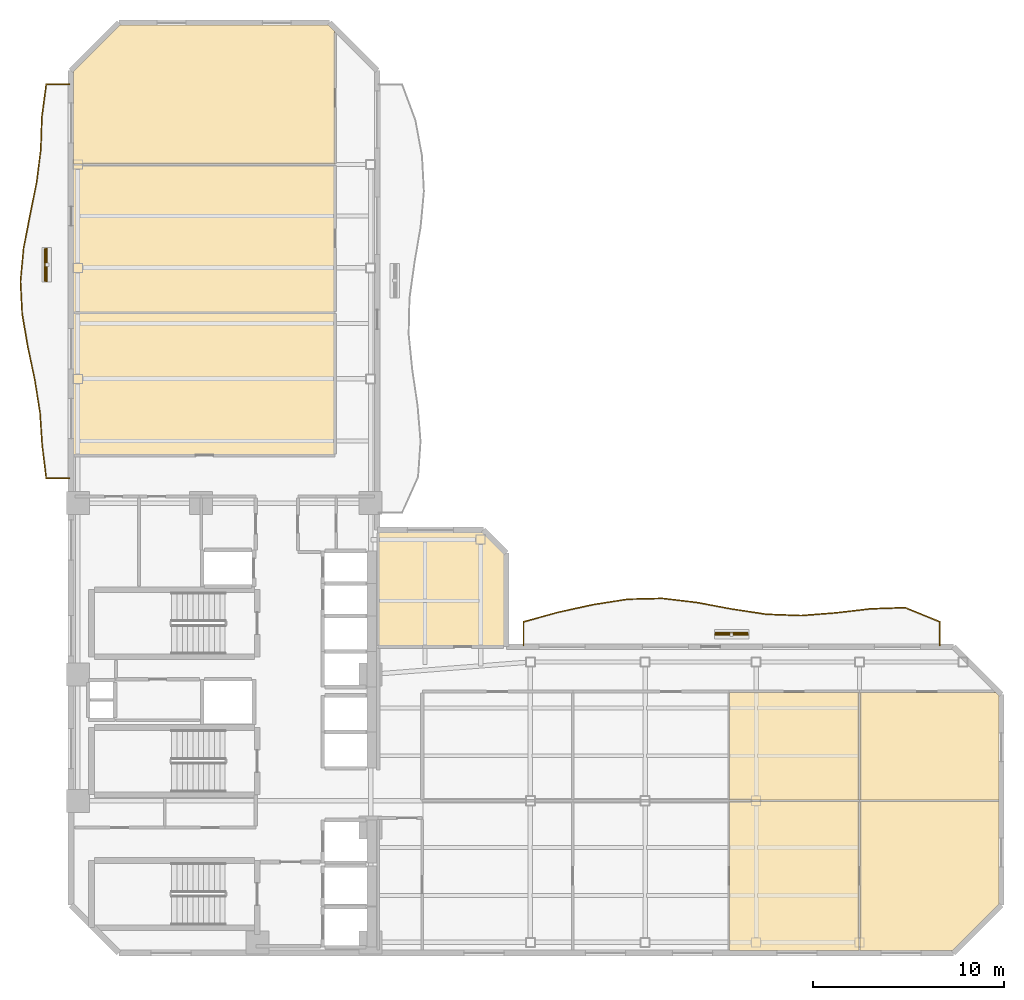
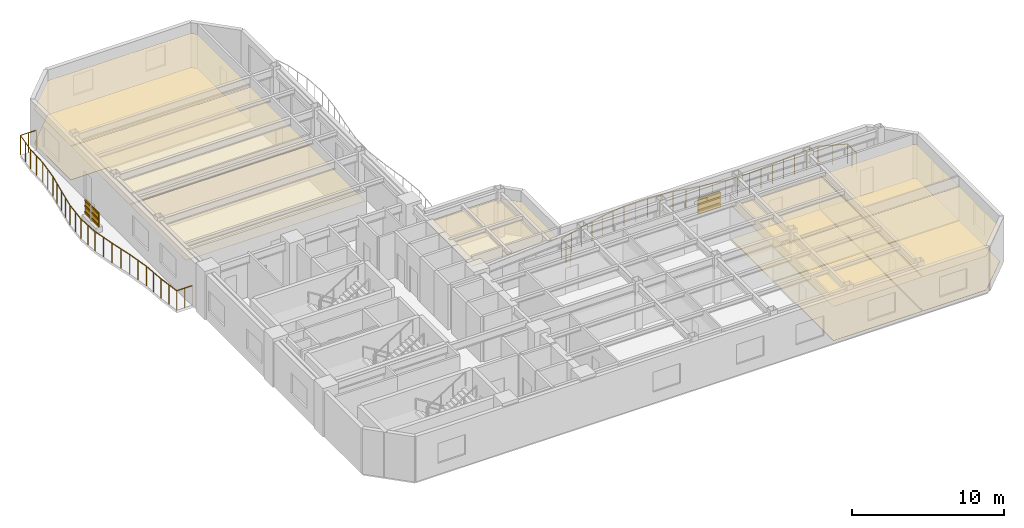
# One storey, part 8 of 9: 13 coverings, 8 shading devices, 2 railings.
"""IFC4 building model written with IfcOpenShell, lengths in metres."""

import ifcopenshell
import ifcopenshell.guid

model = None  # the IFC model being written
_history = None  # IfcOwnerHistory: only IFC2X3 demands one
_inside = {}  # id of a spatial element -> (the spatial element, [elements in it])
_under = {}  # id of a project, library or spatial element -> (it, [spatial elements below it])
_declared = {}  # id of a project -> (the project, [libraries it declares])
_typed = {}  # id of a type object -> (the type object, [elements of that type])
_made_of = {}  # id of a material, layer set ... -> (it, [elements and type objects made of it])


def new_model(schema):
    """Start an empty IFC model of exactly this schema.

    Asked for "IFC4X3", IfcOpenShell would pick the latest addendum, in which some entities
    have other attributes; the version numbers below select the first issue.
    IFC2X3 requires an IfcOwnerHistory on every rooted entity: one is made here for all.
    """
    global model, _history
    if schema == "IFC4X3":
        model = ifcopenshell.file(schema_version=(4, 3, 0, 0))
    else:
        model = ifcopenshell.file(schema=schema)
    _inside.clear()
    _under.clear()
    _declared.clear()
    _typed.clear()
    _made_of.clear()
    _history = None
    if model.schema == "IFC2X3":
        org = make("IfcOrganization", Name="unknown")
        user = make(
            "IfcPersonAndOrganization",
            ThePerson=make("IfcPerson", FamilyName="unknown"),
            TheOrganization=org,
        )
        app = make(
            "IfcApplication",
            ApplicationDeveloper=org,
            Version="unknown",
            ApplicationFullName="unknown",
            ApplicationIdentifier="unknown",
        )
        _history = make(
            "IfcOwnerHistory",
            OwningUser=user,
            OwningApplication=app,
            ChangeAction="ADDED",
            CreationDate=0,
        )
    return model


def make(cls, **values):
    """One entity of the class cls with the attributes given. An attribute that is None is left unset."""
    return model.create_entity(
        cls, **{name: value for name, value in values.items() if value is not None}
    )


def rooted(cls, **values):
    """An entity with a GlobalId (a new one), such as an element, a storey or a relation."""
    return make(cls, GlobalId=ifcopenshell.guid.new(), OwnerHistory=_history, **values)


def si_unit(unit_type, name, prefix=None):
    """IfcSIUnit, for example si_unit("LENGTHUNIT", "METRE", prefix="MILLI")."""
    return make("IfcSIUnit", UnitType=unit_type, Prefix=prefix, Name=name)


def assignment(units):
    """IfcUnitAssignment: the units of a project."""
    return None if units is None else make("IfcUnitAssignment", Units=units)


def point(xyz):
    """IfcCartesianPoint."""
    return None if xyz is None else make("IfcCartesianPoint", Coordinates=xyz)


def direction(xyz):
    """IfcDirection."""
    return None if xyz is None else make("IfcDirection", DirectionRatios=xyz)


def frame(location, z_axis=None, x_axis=None):
    """IfcAxis2Placement3D, a coordinate frame: its origin and axes. An axis left out is left unset."""
    return make(
        "IfcAxis2Placement3D",
        Location=point(location),
        Axis=direction(z_axis),
        RefDirection=direction(x_axis),
    )


def frame_2d(location, x_axis=None):
    """IfcAxis2Placement2D, a coordinate frame in the plane: its origin and x axis."""
    return make(
        "IfcAxis2Placement2D", Location=point(location), RefDirection=direction(x_axis)
    )


def origin():
    """The frame at (0, 0, 0) with its axes left unset."""
    return frame((0.0, 0.0, 0.0))


def origin_2d():
    """The frame at (0, 0) in the plane with its x axis left unset."""
    return frame_2d((0.0, 0.0))


def place(relative_to, where):
    """IfcLocalPlacement: puts the frame where relative to a parent placement (None: the world)."""
    return make(
        "IfcLocalPlacement", PlacementRelTo=relative_to, RelativePlacement=where
    )


def context(
    kind, dimensions, precision=None, world=None, true_north=None, identifier=None
):
    """IfcGeometricRepresentationContext, for example the 3D "Model" context."""
    return make(
        "IfcGeometricRepresentationContext",
        ContextIdentifier=identifier,
        ContextType=kind,
        CoordinateSpaceDimension=dimensions,
        Precision=precision,
        WorldCoordinateSystem=world,
        TrueNorth=true_north,
    )


def subcontext(parent, identifier, kind, view, scale=None):
    """IfcGeometricRepresentationSubContext, for example "Body" below "Model"."""
    return make(
        "IfcGeometricRepresentationSubContext",
        ContextIdentifier=identifier,
        ContextType=kind,
        ParentContext=parent,
        TargetScale=scale,
        TargetView=view,
    )


def project(units=None, contexts=None):
    """IfcProject with its units and contexts."""
    return rooted(
        "IfcProject",
        Name="project",
        RepresentationContexts=contexts,
        UnitsInContext=assignment(units),
    )


def spatial(cls, under=None, at=None, **own):
    """A site, building, storey or space (cls), placed at a placement, below another one or the project."""
    s = rooted(cls, ObjectPlacement=at, **own)
    if under is not None:
        _under.setdefault(under.id(), (under, []))[1].append(s)
    return s


def polyline(points):
    """IfcPolyline through the points."""
    return make("IfcPolyline", Points=[point(p) for p in points])


def profile(cls, at=None, kind="AREA", **sizes):
    """A parametric profile (cls). Its sizes go by their IFC names, for example OverallWidth=200.0."""
    return make(cls, ProfileType=kind, Position=at, **sizes)


def rectangle(**sizes):
    """IfcRectangleProfileDef."""
    return profile("IfcRectangleProfileDef", **sizes)


def outline(outer, holes=None, kind="AREA"):
    """IfcArbitraryClosedProfileDef: a profile drawn as a closed curve; with holes, ...WithVoids."""
    if holes is None:
        return make("IfcArbitraryClosedProfileDef", ProfileType=kind, OuterCurve=outer)
    return make(
        "IfcArbitraryProfileDefWithVoids",
        ProfileType=kind,
        OuterCurve=outer,
        InnerCurves=holes,
    )


def extrude(swept, where, along, depth):
    """IfcExtrudedAreaSolid: the profile swept, set in the frame where, extruded along a direction by depth."""
    return make(
        "IfcExtrudedAreaSolid",
        SweptArea=swept,
        Position=where,
        ExtrudedDirection=direction(along),
        Depth=depth,
    )


def shape(context_of_items, identifier, shape_type, items):
    """IfcShapeRepresentation: the items that make up one representation, for example the "Body"."""
    return make(
        "IfcShapeRepresentation",
        ContextOfItems=context_of_items,
        RepresentationIdentifier=identifier,
        RepresentationType=shape_type,
        Items=items,
    )


def material(Name=None, Category=None):
    """IfcMaterial."""
    return make("IfcMaterial", Name=Name, Category=Category)


def layer(
    of_material, thickness, ventilated=None, Name=None, Category=None, Priority=None
):
    """IfcMaterialLayer: one layer of a wall or slab, of a material (None: an air gap)."""
    return make(
        "IfcMaterialLayer",
        Material=of_material,
        LayerThickness=thickness,
        IsVentilated=ventilated,
        Name=Name,
        Category=Category,
        Priority=Priority,
    )


def layer_set(layers, Name=None):
    """IfcMaterialLayerSet."""
    return make("IfcMaterialLayerSet", MaterialLayers=layers, LayerSetName=Name)


def material_profile(
    of_material, cross_section, Name=None, Category=None, Priority=None
):
    """IfcMaterialProfile: a cross section and its material."""
    return make(
        "IfcMaterialProfile",
        Name=Name,
        Material=of_material,
        Profile=cross_section,
        Priority=Priority,
        Category=Category,
    )


def profile_set(profiles, Name=None, composite=None):
    """IfcMaterialProfileSet."""
    return make(
        "IfcMaterialProfileSet",
        Name=Name,
        MaterialProfiles=profiles,
        CompositeProfile=composite,
    )


def made_of(thing, what):
    """Note that an element or type object is made of a material, layer set ...; save() writes the relation."""
    if what is not None:
        _made_of.setdefault(what.id(), (what, []))[1].append(thing)
    return thing


def type_object(cls, material=None, **own):
    """A type object (cls), such as IfcWallType, which elements share."""
    return made_of(rooted(cls, **own), material)


def element(
    cls,
    number,
    at=None,
    inside=None,
    cuts=None,
    type_object=None,
    material=None,
    context=None,
    identifier="Body",
    shape_type=None,
    held_by="IfcProductDefinitionShape",
    body=None,
    shapes=None,
    **own,
):
    """One element of the class cls, such as IfcWall. Its Tag is "e" and its number.

    at: its placement. inside: the storey or other place that contains it. cuts: it is an
    opening in that element (IfcRelVoidsElement). A single representation is given by context,
    identifier, shape_type and body (its items); several are given by shapes. held_by: the class
    of the entity that holds the representations. save() writes the other relations.
    """
    e = rooted(cls, Tag="e%d" % number, ObjectPlacement=at, **own)
    if body is not None:
        shapes = [shape(context, identifier, shape_type, body)]
    if shapes is not None:
        e.Representation = make(held_by, Representations=shapes)
    if inside is not None:
        _inside.setdefault(inside.id(), (inside, []))[1].append(e)
    if cuts is not None:
        rooted(
            "IfcRelVoidsElement", RelatingBuildingElement=cuts, RelatedOpeningElement=e
        )
    if type_object is not None:
        _typed.setdefault(type_object.id(), (type_object, []))[1].append(e)
    return made_of(e, material)


def aggregate(whole, parts):
    """IfcRelAggregates: a whole, such as a stair, and the parts it consists of."""
    return rooted("IfcRelAggregates", RelatingObject=whole, RelatedObjects=parts)


def save(model, path):
    """Write the relations noted so far, then the file.

    IfcRelAggregates (storeys below a building ...), IfcRelContainedInSpatialStructure (elements
    in a storey), IfcRelDefinesByType, IfcRelAssociatesMaterial and IfcRelDeclares: one each for
    every whole, place, type object, material and project.
    """
    for whole, parts in _under.values():
        aggregate(whole, parts)
    for where, things in _inside.values():
        rooted(
            "IfcRelContainedInSpatialStructure",
            RelatedElements=things,
            RelatingStructure=where,
        )
    for kind, things in _typed.values():
        rooted("IfcRelDefinesByType", RelatedObjects=things, RelatingType=kind)
    for what, things in _made_of.values():
        rooted("IfcRelAssociatesMaterial", RelatedObjects=things, RelatingMaterial=what)
    for by, libraries in _declared.values():
        rooted("IfcRelDeclares", RelatingContext=by, RelatedDefinitions=libraries)
    model.write(path)


model = new_model("IFC4")

# Units and contexts
model_context = context("Model", 3, precision=1e-05, world=origin(), true_north=direction((0.0, 1.0)))
body_context = subcontext(model_context, "Body", "Model", "MODEL_VIEW")
ifc_project = project(units=[si_unit("LENGTHUNIT", "METRE"), si_unit("AREAUNIT", "SQUARE_METRE"), si_unit("VOLUMEUNIT", "CUBIC_METRE"), si_unit("PLANEANGLEUNIT", "RADIAN"), si_unit("MASSUNIT", "GRAM", prefix="KILO")], contexts=[model_context])

# Site, building, storey
site_placement = place(None, origin())
site = spatial("IfcSite", under=ifc_project, at=site_placement, CompositionType="ELEMENT")
building_placement = place(site_placement, origin())
building = spatial("IfcBuilding", under=site, at=building_placement, Name="Mawjaban Terraces University", CompositionType="ELEMENT")
storey_placement = place(building_placement, frame((0.0, 0.0, 161.89990234375)))
storey = spatial("IfcBuildingStorey", under=building, at=storey_placement, Name="L39", CompositionType="ELEMENT", Elevation=161.89990234375)

# Coverings
ifc_material_1 = material(Name="Acoustic mineral fibre ceiling tile", Category="masonry")
ifc_layer_1 = layer(ifc_material_1, 0.02001953125)
ifc_layer_set_1 = layer_set([ifc_layer_1], Name="Acoustic mineral fibre ceiling tile")
covering_type_1 = type_object("IfcCoveringType", Name="AcousticMineralCeiling_20", PredefinedType="CEILING", material=ifc_layer_set_1)
covering_1_placement = place(storey_placement, frame((0.0, 0.0, 2.75)))
element("IfcCovering", 1, at=covering_1_placement, inside=storey, type_object=covering_type_1, Name="L39 Conference Room 6 Acoustic Ceiling", PredefinedType="CEILING", context=body_context, shape_type="SweptSolid", body=[
    extrude(outline(polyline([(56.412109375, 0.114990234375), (63.169921875, 0.114990234375), (63.169921875, 7.919921875), (56.412109375, 7.919921875), (56.412109375, 0.114990234375)])), origin(), (0.0, 0.0, 1.0), 0.02001953125),
])
covering_2_placement = place(storey_placement, frame((0.0, 0.0, 2.75)))
element("IfcCovering", 2, at=covering_2_placement, inside=storey, type_object=covering_type_1, Name="L39 Classroom 7 Acoustic Ceiling", PredefinedType="CEILING", context=body_context, shape_type="SweptSolid", body=[
    extrude(outline(polyline([(63.169921875, 7.97998046875), (63.169921875, 13.6201171875), (56.412109375, 13.6201171875), (56.412109375, 7.97998046875), (63.169921875, 7.97998046875)])), origin(), (0.0, 0.0, 1.0), 0.02001953125),
])
covering_3_placement = place(storey_placement, frame((0.0, 0.0, 2.75)))
element("IfcCovering", 3, at=covering_3_placement, inside=storey, type_object=covering_type_1, Name="L39 Seminar Room 8 Acoustic Ceiling", PredefinedType="CEILING", context=body_context, shape_type="SweptSolid", body=[
    extrude(outline(polyline([(63.22998046875, 0.114990234375), (68.052978515625, 0.114990234375), (70.485107421875, 2.547119140625), (70.485107421875, 7.919921875), (63.22998046875, 7.919921875), (63.22998046875, 0.114990234375)])), origin(), (0.0, 0.0, 1.0), 0.02001953125),
])
covering_4_placement = place(storey_placement, frame((0.0, 0.0, 2.75)))
element("IfcCovering", 4, at=covering_4_placement, inside=storey, type_object=covering_type_1, Name="L39 Tutorial Room 9 Acoustic Ceiling", PredefinedType="CEILING", context=body_context, shape_type="SweptSolid", body=[
    extrude(outline(polyline([(70.485107421875, 7.97998046875), (70.485107421875, 13.452880859375), (70.318115234375, 13.6201171875), (63.22998046875, 13.6201171875), (63.22998046875, 7.97998046875), (70.485107421875, 7.97998046875)])), origin(), (0.0, 0.0, 1.0), 0.02001953125),
])
covering_5_placement = place(storey_placement, frame((0.0, 0.0, 2.75)))
element("IfcCovering", 5, at=covering_5_placement, inside=storey, type_object=covering_type_1, Name="L39 Student Tea Pantry 10 Acoustic Ceiling", PredefinedType="CEILING", context=body_context, shape_type="SweptSolid", body=[
    extrude(outline(polyline([(22.114990234375, 33.427978515625), (22.114990234375, 26.030029296875), (35.77001953125, 26.030029296875), (35.77001953125, 33.427978515625), (22.114990234375, 33.427978515625)])), origin(), (0.0, 0.0, 1.0), 0.02001953125),
])
covering_6_placement = place(storey_placement, frame((0.0, 0.0, 2.75)))
element("IfcCovering", 6, at=covering_6_placement, inside=storey, type_object=covering_type_1, Name="L39 Student Tea Pantry 11 Acoustic Ceiling", PredefinedType="CEILING", context=body_context, shape_type="SweptSolid", body=[
    extrude(outline(polyline([(22.114990234375, 41.169921875), (22.114990234375, 33.488037109375), (35.77001953125, 33.488037109375), (35.77001953125, 41.169921875), (22.114990234375, 41.169921875)])), origin(), (0.0, 0.0, 1.0), 0.02001953125),
])
covering_7_placement = place(storey_placement, frame((0.0, 0.0, 2.75)))
element("IfcCovering", 7, at=covering_7_placement, inside=storey, type_object=covering_type_1, Name="L39 Quiet Reading Room 12 Acoustic Ceiling", PredefinedType="CEILING", context=body_context, shape_type="SweptSolid", body=[
    extrude(outline(polyline([(35.77001953125, 48.16796875), (35.452880859375, 48.485107421875), (24.547119140625, 48.485107421875), (22.114990234375, 46.052978515625), (22.114990234375, 41.22998046875), (35.77001953125, 41.22998046875), (35.77001953125, 48.16796875)])), origin(), (0.0, 0.0, 1.0), 0.02001953125),
])
covering_8_placement = place(storey_placement, frame((0.0, 0.0, 2.75)))
element("IfcCovering", 8, at=covering_8_placement, inside=storey, type_object=covering_type_1, Name="L39 Terrace Collaborative Study Room Acoustic Ceiling", PredefinedType="CEILING", context=body_context, shape_type="SweptSolid", body=[
    extrude(outline(polyline([(44.6259765625, 16.030029296875), (44.6259765625, 20.85302734375), (43.493896484375, 21.985107421875), (38.080078125, 21.985107421875), (38.080078125, 16.030029296875), (44.6259765625, 16.030029296875)])), origin(), (0.0, 0.0, 1.0), 0.02001953125),
])

# Railings
ifc_material_2 = material(Name="Galvanised powder-coated steel S355", Category="steel")
railing_type = type_object("IfcRailingType", Name="BalconyBalustrade_1600", PredefinedType="BALUSTRADE", material=ifc_material_2)
railing_1_placement = place(storey_placement, frame((21.919921875, 24.800048828125, 0.0)))
element("IfcRailing", 9, at=railing_1_placement, inside=storey, type_object=railing_type, Name="L39 Balcony Guardrail west", PredefinedType="BALUSTRADE", context=body_context, shape_type="SweptSolid", body=[
    extrude(rectangle(XDim=0.048095703125, YDim=0.048095703125, at=origin_2d()), frame((0.0, 0.0, 1.576171875), z_axis=(-1.0, 0.0, 0.0), x_axis=(0.0, -1.0, 0.0)), (0.0, 0.0, 1.0), 1.219970703125),
    extrude(rectangle(XDim=0.048095703125, YDim=0.048095703125, at=origin_2d()), frame((-1.219970703125, 0.0, 1.576171875), z_axis=(-0.122488819477, 0.992469893298, 0.0), x_axis=(-0.992469893298, -0.122488819477, 0.0)), (0.0, 0.0, 1.0), 1.72998046875),
    extrude(rectangle(XDim=0.048095703125, YDim=0.048095703125, at=origin_2d()), frame((-1.431884765625, 1.717041015625, 1.576171875), z_axis=(-0.066302277362, 0.997799583091, 0.0), x_axis=(-0.997799583091, -0.066302277362, 0.0)), (0.0, 0.0, 1.0), 1.719482421875),
    extrude(rectangle(XDim=0.048095703125, YDim=0.048095703125, at=origin_2d()), frame((-1.5458984375, 3.432861328125, 1.576171875), z_axis=(-0.157541431604, 0.987512378316, 0.0), x_axis=(-0.987512378316, -0.157541431604, 0.0)), (0.0, 0.0, 1.0), 1.73876953125),
    extrude(rectangle(XDim=0.048095703125, YDim=0.048095703125, at=origin_2d()), frame((-1.81982421875, 5.14990234375, 1.576171875), z_axis=(-0.206858725181, 0.978370823265, 0.0), x_axis=(-0.978370823265, -0.206858725181, 0.0)), (0.0, 0.0, 1.0), 1.7548828125),
    extrude(rectangle(XDim=0.048095703125, YDim=0.048095703125, at=origin_2d()), frame((-2.182861328125, 6.866943359375, 1.576171875), z_axis=(-0.169512504784, 0.985528036497, 0.0), x_axis=(-0.985528036497, -0.169512504784, 0.0)), (0.0, 0.0, 1.0), 1.7412109375),
    extrude(rectangle(XDim=0.048095703125, YDim=0.048095703125, at=origin_2d()), frame((-2.47802734375, 8.5830078125, 1.576171875), z_axis=(-0.051120332769, 0.998692501012, 0.0), x_axis=(-0.998692501012, -0.051120332769, 0.0)), (0.0, 0.0, 1.0), 1.71923828125),
    extrude(rectangle(XDim=0.048095703125, YDim=0.048095703125, at=origin_2d()), frame((-2.56591796875, 10.300048828125, 1.576171875), z_axis=(0.093305620359, 0.995637514967, 0.0), x_axis=(-0.995637514967, 0.093305620359, 0.0)), (0.0, 0.0, 1.0), 1.724365234375),
    extrude(rectangle(XDim=0.048095703125, YDim=0.048095703125, at=origin_2d()), frame((-2.405029296875, 12.016845703125, 1.576171875), z_axis=(0.189961103854, 0.981791616904, 0.0), x_axis=(-0.981791616904, 0.189961103854, 0.0)), (0.0, 0.0, 1.0), 1.747802734375),
    extrude(rectangle(XDim=0.048095703125, YDim=0.048095703125, at=origin_2d()), frame((-2.072998046875, 13.73291015625, 1.576171875), z_axis=(0.198179399531, 0.980165764349, 0.0), x_axis=(-0.980165764349, 0.198179399531, 0.0)), (0.0, 0.0, 1.0), 1.751708984375),
    extrude(rectangle(XDim=0.048095703125, YDim=0.048095703125, at=origin_2d()), frame((-1.725830078125, 15.449951171875, 1.576171875), z_axis=(0.127071813054, 0.991893519652, 0.0), x_axis=(-0.991893519652, 0.127071813054, 0.0)), (0.0, 0.0, 1.0), 1.73095703125),
    extrude(rectangle(XDim=0.048095703125, YDim=0.048095703125, at=origin_2d()), frame((-1.505859375, 17.1669921875, 1.576171875), z_axis=(0.033130188277, 0.999451044636, 0.0), x_axis=(-0.999451044636, 0.033130188277, 0.0)), (0.0, 0.0, 1.0), 1.717041015625),
    extrude(rectangle(XDim=0.048095703125, YDim=0.048095703125, at=origin_2d()), frame((-1.448974609375, 18.883056640625, 1.576171875), z_axis=(0.132219118441, 0.99122051266, 0.0), x_axis=(-0.99122051266, 0.132219118441, 0.0)), (0.0, 0.0, 1.0), 1.73193359375),
    extrude(rectangle(XDim=0.048095703125, YDim=0.048095703125, at=origin_2d()), frame((-1.219970703125, 20.599853515625, 1.576171875), z_axis=(1.0, 0.0, 0.0), x_axis=(0.0, 1.0, 0.0)), (0.0, 0.0, 1.0), 1.219970703125),
    extrude(rectangle(XDim=0.0419921875, YDim=0.0419921875, at=origin_2d()), origin(), (0.0, 0.0, 1.0), 1.552001953125),
    extrude(rectangle(XDim=0.0419921875, YDim=0.0419921875, at=origin_2d()), frame((-0.60986328125, 0.0, 0.0)), (0.0, 0.0, 1.0), 1.552001953125),
    extrude(rectangle(XDim=0.0419921875, YDim=0.0419921875, at=origin_2d()), frame((-1.219970703125, 0.0, 0.0)), (0.0, 0.0, 1.0), 1.552001953125),
    extrude(rectangle(XDim=0.0419921875, YDim=0.0419921875, at=origin_2d()), frame((-1.325927734375, 0.8583984375, 0.0)), (0.0, 0.0, 1.0), 1.552001953125),
    extrude(rectangle(XDim=0.0419921875, YDim=0.0419921875, at=origin_2d()), frame((-1.431884765625, 1.717041015625, 0.0)), (0.0, 0.0, 1.0), 1.552001953125),
    extrude(rectangle(XDim=0.0419921875, YDim=0.0419921875, at=origin_2d()), frame((-1.48876953125, 2.574951171875, 0.0)), (0.0, 0.0, 1.0), 1.552001953125),
    extrude(rectangle(XDim=0.0419921875, YDim=0.0419921875, at=origin_2d()), frame((-1.5458984375, 3.432861328125, 0.0)), (0.0, 0.0, 1.0), 1.552001953125),
    extrude(rectangle(XDim=0.0419921875, YDim=0.0419921875, at=origin_2d()), frame((-1.682861328125, 4.29150390625, 0.0)), (0.0, 0.0, 1.0), 1.552001953125),
    extrude(rectangle(XDim=0.0419921875, YDim=0.0419921875, at=origin_2d()), frame((-1.81982421875, 5.14990234375, 0.0)), (0.0, 0.0, 1.0), 1.552001953125),
    extrude(rectangle(XDim=0.0419921875, YDim=0.0419921875, at=origin_2d()), frame((-2.00146484375, 6.00830078125, 0.0)), (0.0, 0.0, 1.0), 1.552001953125),
    extrude(rectangle(XDim=0.0419921875, YDim=0.0419921875, at=origin_2d()), frame((-2.182861328125, 6.866943359375, 0.0)), (0.0, 0.0, 1.0), 1.552001953125),
    extrude(rectangle(XDim=0.0419921875, YDim=0.0419921875, at=origin_2d()), frame((-2.33056640625, 7.72509765625, 0.0)), (0.0, 0.0, 1.0), 1.552001953125),
    extrude(rectangle(XDim=0.0419921875, YDim=0.0419921875, at=origin_2d()), frame((-2.47802734375, 8.5830078125, 0.0)), (0.0, 0.0, 1.0), 1.552001953125),
    extrude(rectangle(XDim=0.0419921875, YDim=0.0419921875, at=origin_2d()), frame((-2.52197265625, 9.44140625, 0.0)), (0.0, 0.0, 1.0), 1.552001953125),
    extrude(rectangle(XDim=0.0419921875, YDim=0.0419921875, at=origin_2d()), frame((-2.56591796875, 10.300048828125, 0.0)), (0.0, 0.0, 1.0), 1.552001953125),
    extrude(rectangle(XDim=0.0419921875, YDim=0.0419921875, at=origin_2d()), frame((-2.4853515625, 11.158447265625, 0.0)), (0.0, 0.0, 1.0), 1.552001953125),
    extrude(rectangle(XDim=0.0419921875, YDim=0.0419921875, at=origin_2d()), frame((-2.405029296875, 12.016845703125, 0.0)), (0.0, 0.0, 1.0), 1.552001953125),
    extrude(rectangle(XDim=0.0419921875, YDim=0.0419921875, at=origin_2d()), frame((-2.239013671875, 12.875, 0.0)), (0.0, 0.0, 1.0), 1.552001953125),
    extrude(rectangle(XDim=0.0419921875, YDim=0.0419921875, at=origin_2d()), frame((-2.072998046875, 13.73291015625, 0.0)), (0.0, 0.0, 1.0), 1.552001953125),
    extrude(rectangle(XDim=0.0419921875, YDim=0.0419921875, at=origin_2d()), frame((-1.8994140625, 14.59130859375, 0.0)), (0.0, 0.0, 1.0), 1.552001953125),
    extrude(rectangle(XDim=0.0419921875, YDim=0.0419921875, at=origin_2d()), frame((-1.725830078125, 15.449951171875, 0.0)), (0.0, 0.0, 1.0), 1.552001953125),
    extrude(rectangle(XDim=0.0419921875, YDim=0.0419921875, at=origin_2d()), frame((-1.61572265625, 16.30859375, 0.0)), (0.0, 0.0, 1.0), 1.552001953125),
    extrude(rectangle(XDim=0.0419921875, YDim=0.0419921875, at=origin_2d()), frame((-1.505859375, 17.1669921875, 0.0)), (0.0, 0.0, 1.0), 1.552001953125),
    extrude(rectangle(XDim=0.0419921875, YDim=0.0419921875, at=origin_2d()), frame((-1.4775390625, 18.02490234375, 0.0)), (0.0, 0.0, 1.0), 1.552001953125),
    extrude(rectangle(XDim=0.0419921875, YDim=0.0419921875, at=origin_2d()), frame((-1.448974609375, 18.883056640625, 0.0)), (0.0, 0.0, 1.0), 1.552001953125),
    extrude(rectangle(XDim=0.0419921875, YDim=0.0419921875, at=origin_2d()), frame((-1.33447265625, 19.741455078125, 0.0)), (0.0, 0.0, 1.0), 1.552001953125),
    extrude(rectangle(XDim=0.0419921875, YDim=0.0419921875, at=origin_2d()), frame((-1.219970703125, 20.599853515625, 0.0)), (0.0, 0.0, 1.0), 1.552001953125),
    extrude(rectangle(XDim=0.0419921875, YDim=0.0419921875, at=origin_2d()), frame((-0.60986328125, 20.599853515625, 0.0)), (0.0, 0.0, 1.0), 1.552001953125),
    extrude(rectangle(XDim=0.0419921875, YDim=0.0419921875, at=origin_2d()), frame((0.0, 20.599853515625, 0.0)), (0.0, 0.0, 1.0), 1.552001953125),
])
railing_2_placement = place(storey_placement, frame((45.64111328125, 16.080078125, 0.0)))
element("IfcRailing", 10, at=railing_2_placement, inside=storey, type_object=railing_type, Name="L39 Balcony Guardrail inner_north", PredefinedType="BALUSTRADE", context=body_context, shape_type="SweptSolid", body=[
    extrude(rectangle(XDim=0.048095703125, YDim=0.048095703125, at=origin_2d()), frame((0.0, 0.0, 1.576171875), z_axis=(0.0, 1.0, 0.0), x_axis=(-1.0, 0.0, 0.0)), (0.0, 0.0, 1.0), 1.219970703125),
    extrude(rectangle(XDim=0.048095703125, YDim=0.048095703125, at=origin_2d()), frame((0.0, 1.219970703125, 1.576171875), z_axis=(0.963610804069, 0.267309218473, 0.0), x_axis=(-0.267309218473, 0.963610804069, 0.0)), (0.0, 0.0, 1.0), 1.88134765625),
    extrude(rectangle(XDim=0.048095703125, YDim=0.048095703125, at=origin_2d()), frame((1.81298828125, 1.722900390625, 1.576171875), z_axis=(0.976966914412, 0.213390834255, 0.0), x_axis=(-0.213390834255, 0.976966914412, 0.0)), (0.0, 0.0, 1.0), 1.855712890625),
    extrude(rectangle(XDim=0.048095703125, YDim=0.048095703125, at=origin_2d()), frame((3.6259765625, 2.118896484375, 1.576171875), z_axis=(0.987786668552, 0.155812378942, 0.0), x_axis=(-0.155812378942, 0.987786668552, 0.0)), (0.0, 0.0, 1.0), 1.83642578125),
    extrude(rectangle(XDim=0.048095703125, YDim=0.048095703125, at=origin_2d()), frame((5.43994140625, 2.405029296875, 1.576171875), z_axis=(0.999731871912, 0.023155653376, 0.0), x_axis=(-0.023155653376, 0.999731871912, 0.0)), (0.0, 0.0, 1.0), 1.8134765625),
    extrude(rectangle(XDim=0.048095703125, YDim=0.048095703125, at=origin_2d()), frame((7.2529296875, 2.447021484375, 1.576171875), z_axis=(0.993098473355, -0.117283512137, 0.0), x_axis=(0.117283512137, 0.993098473355, 0.0)), (0.0, 0.0, 1.0), 1.82568359375),
    extrude(rectangle(XDim=0.048095703125, YDim=0.048095703125, at=origin_2d()), frame((9.06591796875, 2.23291015625, 1.576171875), z_axis=(0.98276114263, -0.184879789423, 0.0), x_axis=(0.184879789423, 0.98276114263, 0.0)), (0.0, 0.0, 1.0), 1.8447265625),
    extrude(rectangle(XDim=0.048095703125, YDim=0.048095703125, at=origin_2d()), frame((10.87890625, 1.891845703125, 1.576171875), z_axis=(0.988789449826, -0.149316522571, 0.0), x_axis=(0.149316522571, 0.988789449826, 0.0)), (0.0, 0.0, 1.0), 1.83447265625),
    extrude(rectangle(XDim=0.048095703125, YDim=0.048095703125, at=origin_2d()), frame((12.69287109375, 1.617919921875, 1.576171875), z_axis=(0.99929496765, -0.037544208992, 0.0), x_axis=(0.037544208992, 0.99929496765, 0.0)), (0.0, 0.0, 1.0), 1.814208984375),
    extrude(rectangle(XDim=0.048095703125, YDim=0.048095703125, at=origin_2d()), frame((14.505859375, 1.5498046875, 1.576171875), z_axis=(0.996942890491, 0.078133687351, 0.0), x_axis=(-0.078133687351, 0.996942890491, 0.0)), (0.0, 0.0, 1.0), 1.818603515625),
    extrude(rectangle(XDim=0.048095703125, YDim=0.048095703125, at=origin_2d()), frame((16.31884765625, 1.69189453125, 1.576171875), z_axis=(0.993306666896, 0.115506993297, 0.0), x_axis=(-0.115506993297, 0.993306666896, 0.0)), (0.0, 0.0, 1.0), 1.826171875),
    extrude(rectangle(XDim=0.048095703125, YDim=0.048095703125, at=origin_2d()), frame((18.1328125, 1.90283203125, 1.576171875), z_axis=(0.999433798308, 0.033646438133, 0.0), x_axis=(-0.033646438133, 0.999433798308, 0.0)), (0.0, 0.0, 1.0), 1.81396484375),
    extrude(rectangle(XDim=0.048095703125, YDim=0.048095703125, at=origin_2d()), frame((19.94580078125, 1.9638671875, 1.576171875), z_axis=(0.925149547744, -0.379602837594, 0.0), x_axis=(0.379602837594, 0.925149547744, 0.0)), (0.0, 0.0, 1.0), 1.959716796875),
    extrude(rectangle(XDim=0.048095703125, YDim=0.048095703125, at=origin_2d()), frame((21.7587890625, 1.219970703125, 1.576171875), z_axis=(0.0, -1.0, 0.0), x_axis=(1.0, 0.0, 0.0)), (0.0, 0.0, 1.0), 1.219970703125),
    extrude(rectangle(XDim=0.0419921875, YDim=0.0419921875, at=origin_2d()), origin(), (0.0, 0.0, 1.0), 1.552001953125),
    extrude(rectangle(XDim=0.0419921875, YDim=0.0419921875, at=origin_2d()), frame((0.0, 0.60986328125, 0.0)), (0.0, 0.0, 1.0), 1.552001953125),
    extrude(rectangle(XDim=0.0419921875, YDim=0.0419921875, at=origin_2d()), frame((0.0, 1.219970703125, 0.0)), (0.0, 0.0, 1.0), 1.552001953125),
    extrude(rectangle(XDim=0.0419921875, YDim=0.0419921875, at=origin_2d()), frame((0.906494140625, 1.471435546875, 0.0)), (0.0, 0.0, 1.0), 1.552001953125),
    extrude(rectangle(XDim=0.0419921875, YDim=0.0419921875, at=origin_2d()), frame((1.81298828125, 1.722900390625, 0.0)), (0.0, 0.0, 1.0), 1.552001953125),
    extrude(rectangle(XDim=0.0419921875, YDim=0.0419921875, at=origin_2d()), frame((2.719482421875, 1.9208984375, 0.0)), (0.0, 0.0, 1.0), 1.552001953125),
    extrude(rectangle(XDim=0.0419921875, YDim=0.0419921875, at=origin_2d()), frame((3.6259765625, 2.118896484375, 0.0)), (0.0, 0.0, 1.0), 1.552001953125),
    extrude(rectangle(XDim=0.0419921875, YDim=0.0419921875, at=origin_2d()), frame((4.532958984375, 2.261962890625, 0.0)), (0.0, 0.0, 1.0), 1.552001953125),
    extrude(rectangle(XDim=0.0419921875, YDim=0.0419921875, at=origin_2d()), frame((5.43994140625, 2.405029296875, 0.0)), (0.0, 0.0, 1.0), 1.552001953125),
    extrude(rectangle(XDim=0.0419921875, YDim=0.0419921875, at=origin_2d()), frame((6.346435546875, 2.426025390625, 0.0)), (0.0, 0.0, 1.0), 1.552001953125),
    extrude(rectangle(XDim=0.0419921875, YDim=0.0419921875, at=origin_2d()), frame((7.2529296875, 2.447021484375, 0.0)), (0.0, 0.0, 1.0), 1.552001953125),
    extrude(rectangle(XDim=0.0419921875, YDim=0.0419921875, at=origin_2d()), frame((8.159423828125, 2.33984375, 0.0)), (0.0, 0.0, 1.0), 1.552001953125),
    extrude(rectangle(XDim=0.0419921875, YDim=0.0419921875, at=origin_2d()), frame((9.06591796875, 2.23291015625, 0.0)), (0.0, 0.0, 1.0), 1.552001953125),
    extrude(rectangle(XDim=0.0419921875, YDim=0.0419921875, at=origin_2d()), frame((9.972412109375, 2.0625, 0.0)), (0.0, 0.0, 1.0), 1.552001953125),
    extrude(rectangle(XDim=0.0419921875, YDim=0.0419921875, at=origin_2d()), frame((10.87890625, 1.891845703125, 0.0)), (0.0, 0.0, 1.0), 1.552001953125),
    extrude(rectangle(XDim=0.0419921875, YDim=0.0419921875, at=origin_2d()), frame((11.785888671875, 1.7548828125, 0.0)), (0.0, 0.0, 1.0), 1.552001953125),
    extrude(rectangle(XDim=0.0419921875, YDim=0.0419921875, at=origin_2d()), frame((12.69287109375, 1.617919921875, 0.0)), (0.0, 0.0, 1.0), 1.552001953125),
    extrude(rectangle(XDim=0.0419921875, YDim=0.0419921875, at=origin_2d()), frame((13.599365234375, 1.583984375, 0.0)), (0.0, 0.0, 1.0), 1.552001953125),
    extrude(rectangle(XDim=0.0419921875, YDim=0.0419921875, at=origin_2d()), frame((14.505859375, 1.5498046875, 0.0)), (0.0, 0.0, 1.0), 1.552001953125),
    extrude(rectangle(XDim=0.0419921875, YDim=0.0419921875, at=origin_2d()), frame((15.412353515625, 1.620849609375, 0.0)), (0.0, 0.0, 1.0), 1.552001953125),
    extrude(rectangle(XDim=0.0419921875, YDim=0.0419921875, at=origin_2d()), frame((16.31884765625, 1.69189453125, 0.0)), (0.0, 0.0, 1.0), 1.552001953125),
    extrude(rectangle(XDim=0.0419921875, YDim=0.0419921875, at=origin_2d()), frame((17.225830078125, 1.79736328125, 0.0)), (0.0, 0.0, 1.0), 1.552001953125),
    extrude(rectangle(XDim=0.0419921875, YDim=0.0419921875, at=origin_2d()), frame((18.1328125, 1.90283203125, 0.0)), (0.0, 0.0, 1.0), 1.552001953125),
    extrude(rectangle(XDim=0.0419921875, YDim=0.0419921875, at=origin_2d()), frame((19.039306640625, 1.933349609375, 0.0)), (0.0, 0.0, 1.0), 1.552001953125),
    extrude(rectangle(XDim=0.0419921875, YDim=0.0419921875, at=origin_2d()), frame((19.94580078125, 1.9638671875, 0.0)), (0.0, 0.0, 1.0), 1.552001953125),
    extrude(rectangle(XDim=0.0419921875, YDim=0.0419921875, at=origin_2d()), frame((20.852294921875, 1.591796875, 0.0)), (0.0, 0.0, 1.0), 1.552001953125),
    extrude(rectangle(XDim=0.0419921875, YDim=0.0419921875, at=origin_2d()), frame((21.7587890625, 1.219970703125, 0.0)), (0.0, 0.0, 1.0), 1.552001953125),
    extrude(rectangle(XDim=0.0419921875, YDim=0.0419921875, at=origin_2d()), frame((21.7587890625, 0.60986328125, 0.0)), (0.0, 0.0, 1.0), 1.552001953125),
    extrude(rectangle(XDim=0.0419921875, YDim=0.0419921875, at=origin_2d()), frame((21.7587890625, 0.0, 0.0)), (0.0, 0.0, 1.0), 1.552001953125),
])

# Shading devices
ifc_material_3 = material(Name="Glazed architectural terracotta ceramic", Category="masonry")
ifc_material_profile = material_profile(ifc_material_3, rectangle(XDim=0.06494140625, YDim=0.110107421875, at=origin_2d()), Name="TBAG110X65")
ifc_profile_set = profile_set([ifc_material_profile], Name="Glazed architectural terracotta ceramic")
shading_device_type_1 = type_object("IfcShadingDeviceType", Name="TerracottaBaguette_110x65", PredefinedType="USERDEFINED", material=ifc_profile_set)
for number, where, z_axis, x_axis, name in (
    (11, (20.636962890625, 35.10888671875, 0.68017578125), (0.0, 1.0, 0.0), (-1.0, 0.0, 0.0), "L39 Horizontal Terracotta Baguette west.1"),
    (12, (20.636962890625, 35.10888671875, 1.150146484375), (0.0, 1.0, 0.0), (-1.0, 0.0, 0.0), "L39 Horizontal Terracotta Baguette west.2"),
    (13, (20.636962890625, 35.10888671875, 1.6201171875), (0.0, 1.0, 0.0), (-1.0, 0.0, 0.0), "L39 Horizontal Terracotta Baguette west.3"),
    (14, (55.669921875, 16.72998046875, 0.68017578125), (1.0, 0.0, 0.0), (0.0, 1.0, 0.0), "L39 Horizontal Terracotta Baguette inner_north.1"),
    (15, (55.669921875, 16.72998046875, 1.150146484375), (1.0, 0.0, 0.0), (0.0, 1.0, 0.0), "L39 Horizontal Terracotta Baguette inner_north.2"),
    (16, (55.669921875, 16.72998046875, 1.6201171875), (1.0, 0.0, 0.0), (0.0, 1.0, 0.0), "L39 Horizontal Terracotta Baguette inner_north.3"),
):
    element("IfcShadingDevice", number, at=place(storey_placement, frame(where, z_axis=z_axis, x_axis=x_axis)), inside=storey, type_object=shading_device_type_1, Name=name, ObjectType="BAGUETTE", PredefinedType="USERDEFINED", context=body_context, shape_type="SweptSolid", body=[
        extrude(rectangle(XDim=0.06494140625, YDim=0.110107421875, at=origin_2d()), origin(), (0.0, 0.0, 1.0), 1.7001953125),
    ])
ifc_layer_2 = layer(ifc_material_3, 0.080078125)
ifc_layer_set_2 = layer_set([ifc_layer_2], Name="Glazed architectural terracotta ceramic")
shading_device_type_2 = type_object("IfcShadingDeviceType", Name="TerracottaScreen_Perforated", PredefinedType="USERDEFINED", material=ifc_layer_set_2)
for number, where, z_axis, x_axis, name in (
    (17, (20.721923828125, 35.958984375, 0.440185546875), (0.0, 0.0, 1.0), (0.0, 1.0, 0.0), "L39 Balcony Perforated Terracotta Screen west"),
    (18, (56.52001953125, 16.64501953125, 0.440185546875), (0.0, 0.0, 1.0), (1.0, 0.0, 0.0), "L39 Balcony Perforated Terracotta Screen inner_north"),
):
    element("IfcShadingDevice", number, at=place(storey_placement, frame(where, z_axis=z_axis, x_axis=x_axis)), inside=storey, type_object=shading_device_type_2, Name=name, ObjectType="SCREEN", PredefinedType="USERDEFINED", context=body_context, shape_type="SweptSolid", body=[
        extrude(rectangle(XDim=1.75, YDim=0.080078125, at=origin_2d()), origin(), (0.0, 0.0, 1.0), 1.14990234375),
    ])

# Coverings
ifc_material_4 = material(Name="Polished Hijazi granite terrazzo flooring", Category="masonry")
ifc_layer_3 = layer(ifc_material_4, 0.02490234375)
ifc_layer_set_3 = layer_set([ifc_layer_3], Name="Polished Hijazi granite terrazzo flooring")
covering_type_2 = type_object("IfcCoveringType", Name="TerrazzoConcourseFlooring_25", PredefinedType="FLOORING", material=ifc_layer_set_3)
covering_9_placement = place(storey_placement, origin())
element("IfcCovering", 19, at=covering_9_placement, inside=storey, type_object=covering_type_2, Name="L39 Conference Room 6 Terrazzo Flooring", PredefinedType="FLOORING", context=body_context, shape_type="SweptSolid", body=[
    extrude(outline(polyline([(56.412109375, 0.114990234375), (63.169921875, 0.114990234375), (63.169921875, 7.919921875), (56.412109375, 7.919921875), (56.412109375, 0.114990234375)])), origin(), (0.0, 0.0, 1.0), 0.025146484375),
])
covering_10_placement = place(storey_placement, origin())
element("IfcCovering", 20, at=covering_10_placement, inside=storey, type_object=covering_type_2, Name="L39 Classroom 7 Terrazzo Flooring", PredefinedType="FLOORING", context=body_context, shape_type="SweptSolid", body=[
    extrude(outline(polyline([(63.169921875, 7.97998046875), (63.169921875, 13.6201171875), (56.412109375, 13.6201171875), (56.412109375, 7.97998046875), (63.169921875, 7.97998046875)])), origin(), (0.0, 0.0, 1.0), 0.025146484375),
])
covering_11_placement = place(storey_placement, origin())
element("IfcCovering", 21, at=covering_11_placement, inside=storey, type_object=covering_type_2, Name="L39 Seminar Room 8 Terrazzo Flooring", PredefinedType="FLOORING", context=body_context, shape_type="SweptSolid", body=[
    extrude(outline(polyline([(63.22998046875, 0.114990234375), (68.052978515625, 0.114990234375), (70.485107421875, 2.547119140625), (70.485107421875, 7.919921875), (63.22998046875, 7.919921875), (63.22998046875, 0.114990234375)])), origin(), (0.0, 0.0, 1.0), 0.025146484375),
])
covering_12_placement = place(storey_placement, origin())
element("IfcCovering", 22, at=covering_12_placement, inside=storey, type_object=covering_type_2, Name="L39 Tutorial Room 9 Terrazzo Flooring", PredefinedType="FLOORING", context=body_context, shape_type="SweptSolid", body=[
    extrude(outline(polyline([(70.485107421875, 7.97998046875), (70.485107421875, 13.452880859375), (70.318115234375, 13.6201171875), (63.22998046875, 13.6201171875), (63.22998046875, 7.97998046875), (70.485107421875, 7.97998046875)])), origin(), (0.0, 0.0, 1.0), 0.025146484375),
])
covering_13_placement = place(storey_placement, origin())
element("IfcCovering", 23, at=covering_13_placement, inside=storey, type_object=covering_type_2, Name="L39 Quiet Reading Room 12 Terrazzo Flooring", PredefinedType="FLOORING", context=body_context, shape_type="SweptSolid", body=[
    extrude(outline(polyline([(35.77001953125, 48.16796875), (35.452880859375, 48.485107421875), (24.547119140625, 48.485107421875), (22.114990234375, 46.052978515625), (22.114990234375, 41.22998046875), (35.77001953125, 41.22998046875), (35.77001953125, 48.16796875)])), origin(), (0.0, 0.0, 1.0), 0.025146484375),
])

save(model, "model.ifc")
